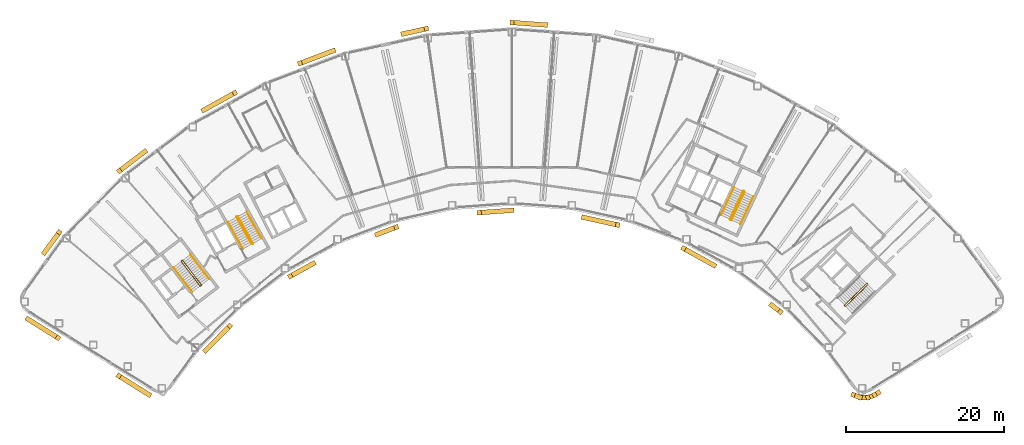
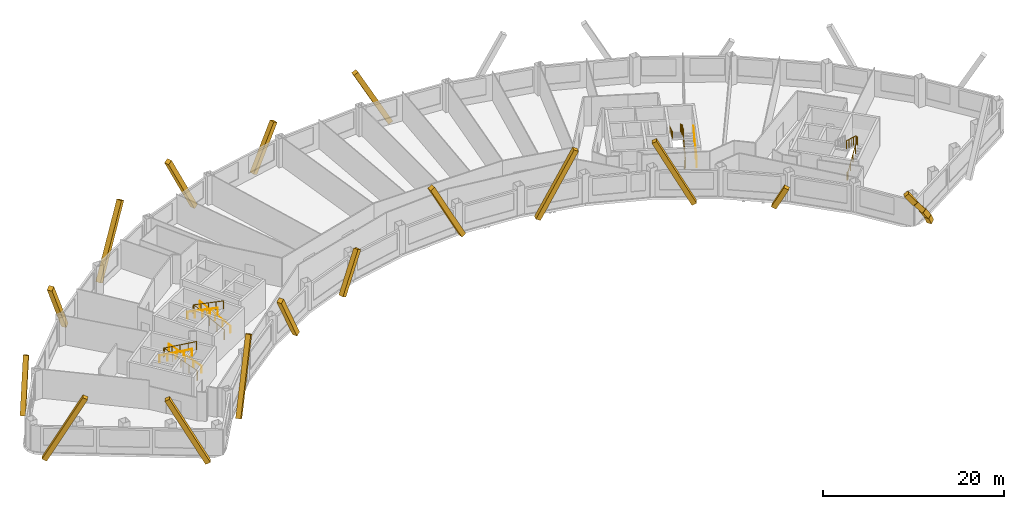
# One storey, part 13 of 14: 19 coverings, 10 railings.
"""IFC4 building model written with IfcOpenShell, lengths in metres."""

import ifcopenshell
import ifcopenshell.guid

model = None  # the IFC model being written
_history = None  # IfcOwnerHistory: only IFC2X3 demands one
_inside = {}  # id of a spatial element -> (the spatial element, [elements in it])
_under = {}  # id of a project, library or spatial element -> (it, [spatial elements below it])
_declared = {}  # id of a project -> (the project, [libraries it declares])
_typed = {}  # id of a type object -> (the type object, [elements of that type])
_made_of = {}  # id of a material, layer set ... -> (it, [elements and type objects made of it])


def new_model(schema):
    """Start an empty IFC model of exactly this schema.

    Asked for "IFC4X3", IfcOpenShell would pick the latest addendum, in which some entities
    have other attributes; the version numbers below select the first issue.
    IFC2X3 requires an IfcOwnerHistory on every rooted entity: one is made here for all.
    """
    global model, _history
    if schema == "IFC4X3":
        model = ifcopenshell.file(schema_version=(4, 3, 0, 0))
    else:
        model = ifcopenshell.file(schema=schema)
    _inside.clear()
    _under.clear()
    _declared.clear()
    _typed.clear()
    _made_of.clear()
    _history = None
    if model.schema == "IFC2X3":
        org = make("IfcOrganization", Name="unknown")
        user = make(
            "IfcPersonAndOrganization",
            ThePerson=make("IfcPerson", FamilyName="unknown"),
            TheOrganization=org,
        )
        app = make(
            "IfcApplication",
            ApplicationDeveloper=org,
            Version="unknown",
            ApplicationFullName="unknown",
            ApplicationIdentifier="unknown",
        )
        _history = make(
            "IfcOwnerHistory",
            OwningUser=user,
            OwningApplication=app,
            ChangeAction="ADDED",
            CreationDate=0,
        )
    return model


def make(cls, **values):
    """One entity of the class cls with the attributes given. An attribute that is None is left unset."""
    return model.create_entity(
        cls, **{name: value for name, value in values.items() if value is not None}
    )


def rooted(cls, **values):
    """An entity with a GlobalId (a new one), such as an element, a storey or a relation."""
    return make(cls, GlobalId=ifcopenshell.guid.new(), OwnerHistory=_history, **values)


def si_unit(unit_type, name, prefix=None):
    """IfcSIUnit, for example si_unit("LENGTHUNIT", "METRE", prefix="MILLI")."""
    return make("IfcSIUnit", UnitType=unit_type, Prefix=prefix, Name=name)


def assignment(units):
    """IfcUnitAssignment: the units of a project."""
    return None if units is None else make("IfcUnitAssignment", Units=units)


def point(xyz):
    """IfcCartesianPoint."""
    return None if xyz is None else make("IfcCartesianPoint", Coordinates=xyz)


def direction(xyz):
    """IfcDirection."""
    return None if xyz is None else make("IfcDirection", DirectionRatios=xyz)


def frame(location, z_axis=None, x_axis=None):
    """IfcAxis2Placement3D, a coordinate frame: its origin and axes. An axis left out is left unset."""
    return make(
        "IfcAxis2Placement3D",
        Location=point(location),
        Axis=direction(z_axis),
        RefDirection=direction(x_axis),
    )


def frame_2d(location, x_axis=None):
    """IfcAxis2Placement2D, a coordinate frame in the plane: its origin and x axis."""
    return make(
        "IfcAxis2Placement2D", Location=point(location), RefDirection=direction(x_axis)
    )


def origin():
    """The frame at (0, 0, 0) with its axes left unset."""
    return frame((0.0, 0.0, 0.0))


def origin_2d():
    """The frame at (0, 0) in the plane with its x axis left unset."""
    return frame_2d((0.0, 0.0))


def place(relative_to, where):
    """IfcLocalPlacement: puts the frame where relative to a parent placement (None: the world)."""
    return make(
        "IfcLocalPlacement", PlacementRelTo=relative_to, RelativePlacement=where
    )


def context(
    kind, dimensions, precision=None, world=None, true_north=None, identifier=None
):
    """IfcGeometricRepresentationContext, for example the 3D "Model" context."""
    return make(
        "IfcGeometricRepresentationContext",
        ContextIdentifier=identifier,
        ContextType=kind,
        CoordinateSpaceDimension=dimensions,
        Precision=precision,
        WorldCoordinateSystem=world,
        TrueNorth=true_north,
    )


def subcontext(parent, identifier, kind, view, scale=None):
    """IfcGeometricRepresentationSubContext, for example "Body" below "Model"."""
    return make(
        "IfcGeometricRepresentationSubContext",
        ContextIdentifier=identifier,
        ContextType=kind,
        ParentContext=parent,
        TargetScale=scale,
        TargetView=view,
    )


def project(units=None, contexts=None):
    """IfcProject with its units and contexts."""
    return rooted(
        "IfcProject",
        Name="project",
        RepresentationContexts=contexts,
        UnitsInContext=assignment(units),
    )


def spatial(cls, under=None, at=None, **own):
    """A site, building, storey or space (cls), placed at a placement, below another one or the project."""
    s = rooted(cls, ObjectPlacement=at, **own)
    if under is not None:
        _under.setdefault(under.id(), (under, []))[1].append(s)
    return s


def profile(cls, at=None, kind="AREA", **sizes):
    """A parametric profile (cls). Its sizes go by their IFC names, for example OverallWidth=200.0."""
    return make(cls, ProfileType=kind, Position=at, **sizes)


def rectangle(**sizes):
    """IfcRectangleProfileDef."""
    return profile("IfcRectangleProfileDef", **sizes)


def circle(**sizes):
    """IfcCircleProfileDef."""
    return profile("IfcCircleProfileDef", **sizes)


def extrude(swept, where, along, depth):
    """IfcExtrudedAreaSolid: the profile swept, set in the frame where, extruded along a direction by depth."""
    return make(
        "IfcExtrudedAreaSolid",
        SweptArea=swept,
        Position=where,
        ExtrudedDirection=direction(along),
        Depth=depth,
    )


def shape(context_of_items, identifier, shape_type, items):
    """IfcShapeRepresentation: the items that make up one representation, for example the "Body"."""
    return make(
        "IfcShapeRepresentation",
        ContextOfItems=context_of_items,
        RepresentationIdentifier=identifier,
        RepresentationType=shape_type,
        Items=items,
    )


def material(Name=None, Category=None):
    """IfcMaterial."""
    return make("IfcMaterial", Name=Name, Category=Category)


def material_profile(
    of_material, cross_section, Name=None, Category=None, Priority=None
):
    """IfcMaterialProfile: a cross section and its material."""
    return make(
        "IfcMaterialProfile",
        Name=Name,
        Material=of_material,
        Profile=cross_section,
        Priority=Priority,
        Category=Category,
    )


def profile_set(profiles, Name=None, composite=None):
    """IfcMaterialProfileSet."""
    return make(
        "IfcMaterialProfileSet",
        Name=Name,
        MaterialProfiles=profiles,
        CompositeProfile=composite,
    )


def made_of(thing, what):
    """Note that an element or type object is made of a material, layer set ...; save() writes the relation."""
    if what is not None:
        _made_of.setdefault(what.id(), (what, []))[1].append(thing)
    return thing


def type_object(cls, material=None, **own):
    """A type object (cls), such as IfcWallType, which elements share."""
    return made_of(rooted(cls, **own), material)


def element(
    cls,
    number,
    at=None,
    inside=None,
    cuts=None,
    type_object=None,
    material=None,
    context=None,
    identifier="Body",
    shape_type=None,
    held_by="IfcProductDefinitionShape",
    body=None,
    shapes=None,
    **own,
):
    """One element of the class cls, such as IfcWall. Its Tag is "e" and its number.

    at: its placement. inside: the storey or other place that contains it. cuts: it is an
    opening in that element (IfcRelVoidsElement). A single representation is given by context,
    identifier, shape_type and body (its items); several are given by shapes. held_by: the class
    of the entity that holds the representations. save() writes the other relations.
    """
    e = rooted(cls, Tag="e%d" % number, ObjectPlacement=at, **own)
    if body is not None:
        shapes = [shape(context, identifier, shape_type, body)]
    if shapes is not None:
        e.Representation = make(held_by, Representations=shapes)
    if inside is not None:
        _inside.setdefault(inside.id(), (inside, []))[1].append(e)
    if cuts is not None:
        rooted(
            "IfcRelVoidsElement", RelatingBuildingElement=cuts, RelatedOpeningElement=e
        )
    if type_object is not None:
        _typed.setdefault(type_object.id(), (type_object, []))[1].append(e)
    return made_of(e, material)


def aggregate(whole, parts):
    """IfcRelAggregates: a whole, such as a stair, and the parts it consists of."""
    return rooted("IfcRelAggregates", RelatingObject=whole, RelatedObjects=parts)


def save(model, path):
    """Write the relations noted so far, then the file.

    IfcRelAggregates (storeys below a building ...), IfcRelContainedInSpatialStructure (elements
    in a storey), IfcRelDefinesByType, IfcRelAssociatesMaterial and IfcRelDeclares: one each for
    every whole, place, type object, material and project.
    """
    for whole, parts in _under.values():
        aggregate(whole, parts)
    for where, things in _inside.values():
        rooted(
            "IfcRelContainedInSpatialStructure",
            RelatedElements=things,
            RelatingStructure=where,
        )
    for kind, things in _typed.values():
        rooted("IfcRelDefinesByType", RelatedObjects=things, RelatingType=kind)
    for what, things in _made_of.values():
        rooted("IfcRelAssociatesMaterial", RelatedObjects=things, RelatingMaterial=what)
    for by, libraries in _declared.values():
        rooted("IfcRelDeclares", RelatingContext=by, RelatedDefinitions=libraries)
    model.write(path)


model = new_model("IFC4")

# Units and contexts
model_context = context("Model", 3, precision=1e-05, world=origin(), true_north=direction((0.0, 1.0)))
body_context = subcontext(model_context, "Body", "Model", "MODEL_VIEW")
ifc_project = project(units=[si_unit("LENGTHUNIT", "METRE"), si_unit("AREAUNIT", "SQUARE_METRE"), si_unit("VOLUMEUNIT", "CUBIC_METRE"), si_unit("PLANEANGLEUNIT", "RADIAN"), si_unit("MASSUNIT", "GRAM", prefix="KILO")], contexts=[model_context])

# Site, building, storey
site_placement = place(None, origin())
site = spatial("IfcSite", under=ifc_project, at=site_placement, CompositionType="ELEMENT")
building_placement = place(site_placement, origin())
building = spatial("IfcBuilding", under=site, at=building_placement, Name="Tuul Gate Civic Tower", CompositionType="ELEMENT")
storey_placement = place(building_placement, frame((0.0, 0.0, 209.5)))
storey = spatial("IfcBuildingStorey", under=building, at=storey_placement, Name="Level 47", CompositionType="ELEMENT", Elevation=209.5)

# Railings
ifc_material_1 = material(Name="Painted steel", Category="steel")
railing_type_1 = type_object("IfcRailingType", Name="Stair guard", PredefinedType="GUARDRAIL", material=ifc_material_1)
railing_1_placement = place(storey_placement, frame((-33.382080078125, -13.515380859375, 0.0)))
element("IfcRailing", 1, at=railing_1_placement, inside=storey, type_object=railing_type_1, Name="Level 47 ST-1 stair guard 1", PredefinedType="GUARDRAIL", context=body_context, shape_type="SweptSolid", body=[
    extrude(circle(Radius=0.02392578125, at=origin_2d()), frame((0.0, 0.0, 1.076171875), z_axis=(-0.795879841968, -0.605454603706, 0.0), x_axis=(0.605454603706, -0.795879841968, 0.0)), (0.0, 0.0, 1.0), 0.10009765625),
    extrude(circle(Radius=0.02392578125, at=origin_2d()), frame((-0.07958984375, -0.060546875, 1.076171875), z_axis=(0.408991890351, 0.599481263939, 0.688002796371), x_axis=(-0.826063974707, 0.563576356576, 0.0)), (0.0, 0.0, 1.0), 0.2177734375),
    extrude(circle(Radius=0.02392578125, at=origin_2d()), frame((0.009521484375, 0.070068359375, 1.22607421875), z_axis=(-0.541810893183, 0.711627203922, 0.44724454012), x_axis=(-0.795637165283, -0.60577347352, 0.0)), (0.0, 0.0, 1.0), 4.3603515625),
    extrude(circle(Radius=0.02392578125, at=origin_2d()), frame((-2.35302734375, 3.173095703125, 3.17626953125), z_axis=(-0.990893089246, 0.134650977284, 0.0), x_axis=(-0.134650977284, -0.990893089246, 0.0)), (0.0, 0.0, 1.0), 0.07080078125),
    extrude(circle(Radius=0.02392578125, at=origin_2d()), frame((-2.423095703125, 3.1826171875, 3.17626953125), z_axis=(-0.793802879778, -0.60817512943, 0.0), x_axis=(0.60817512943, -0.793802879778, 0.0)), (0.0, 0.0, 1.0), 0.099853515625),
    extrude(circle(Radius=0.02392578125, at=origin_2d()), frame((-2.50244140625, 3.121826171875, 3.17626953125), z_axis=(-0.057447065493, -0.422751481959, 0.904423031091), x_axis=(0.990893089246, -0.134650977284, 0.0)), (0.0, 0.0, 1.0), 0.165771484375),
    extrude(circle(Radius=0.02392578125, at=origin_2d()), frame((-2.511962890625, 3.0517578125, 3.326171875), z_axis=(0.541806494602, -0.71163897684, 0.447231136047), x_axis=(0.795644365679, 0.605764016233, 0.0)), (0.0, 0.0, 1.0), 4.360107421875),
    extrude(circle(Radius=0.02099609375, at=origin_2d()), origin(), (0.0, 0.0, 1.0), 1.052001953125),
    extrude(circle(Radius=0.02099609375, at=origin_2d()), frame((-0.07958984375, -0.060546875, 0.0)), (0.0, 0.0, 1.0), 1.052001953125),
    extrude(circle(Radius=0.02099609375, at=origin_2d()), frame((0.009521484375, 0.070068359375, 0.14990234375)), (0.0, 0.0, 1.0), 1.052001953125),
    extrude(circle(Radius=0.02099609375, at=origin_2d()), frame((-0.5810546875, 0.845703125, 0.637451171875)), (0.0, 0.0, 1.0), 1.052001953125),
    extrude(circle(Radius=0.02099609375, at=origin_2d()), frame((-1.171875, 1.62158203125, 1.125)), (0.0, 0.0, 1.0), 1.052001953125),
    extrude(circle(Radius=0.02099609375, at=origin_2d()), frame((-1.762451171875, 2.3974609375, 1.612548828125)), (0.0, 0.0, 1.0), 1.052001953125),
    extrude(circle(Radius=0.02099609375, at=origin_2d()), frame((-2.35302734375, 3.173095703125, 2.10009765625)), (0.0, 0.0, 1.0), 1.052001953125),
    extrude(circle(Radius=0.02099609375, at=origin_2d()), frame((-2.423095703125, 3.1826171875, 2.10009765625)), (0.0, 0.0, 1.0), 1.052001953125),
    extrude(circle(Radius=0.02099609375, at=origin_2d()), frame((-2.50244140625, 3.121826171875, 2.10009765625)), (0.0, 0.0, 1.0), 1.052001953125),
    extrude(circle(Radius=0.02099609375, at=origin_2d()), frame((-2.511962890625, 3.0517578125, 2.25)), (0.0, 0.0, 1.0), 1.052001953125),
    extrude(circle(Radius=0.02099609375, at=origin_2d()), frame((-1.92138671875, 2.276123046875, 2.737548828125)), (0.0, 0.0, 1.0), 1.052001953125),
    extrude(circle(Radius=0.02099609375, at=origin_2d()), frame((-1.330810546875, 1.50048828125, 3.22509765625)), (0.0, 0.0, 1.0), 1.052001953125),
    extrude(circle(Radius=0.02099609375, at=origin_2d()), frame((-0.740234375, 0.724609375, 3.71240234375)), (0.0, 0.0, 1.0), 1.052001953125),
    extrude(circle(Radius=0.02099609375, at=origin_2d()), frame((-0.149658203125, -0.051025390625, 4.199951171875)), (0.0, 0.0, 1.0), 1.052001953125),
])
railing_2_placement = place(storey_placement, frame((-26.857666015625, -8.247314453125, 0.0)))
element("IfcRailing", 2, at=railing_2_placement, inside=storey, type_object=railing_type_1, Name="Level 47 ST-2 stair guard 1", PredefinedType="GUARDRAIL", context=body_context, shape_type="SweptSolid", body=[
    extrude(circle(Radius=0.02392578125, at=origin_2d()), frame((0.0, 0.0, 1.076171875), z_axis=(-0.874616555828, -0.48481530532, 0.0), x_axis=(0.48481530532, -0.874616555828, 0.0)), (0.0, 0.0, 1.0), 0.10009765625),
    extrude(circle(Radius=0.02392578125, at=origin_2d()), frame((-0.087646484375, -0.048583984375, 1.076171875), z_axis=(0.49081399482, 0.534516610797, 0.688036056665), x_axis=(-0.736576986774, 0.676353711126, 0.0)), (0.0, 0.0, 1.0), 0.2177734375),
    extrude(circle(Radius=0.02392578125, at=origin_2d()), frame((0.019287109375, 0.06787109375, 1.22607421875), z_axis=(-0.433539057192, 0.782307594871, 0.447256875739), x_axis=(-0.874667644053, -0.484723129681, 0.0)), (0.0, 0.0, 1.0), 4.3603515625),
    extrude(circle(Radius=0.02392578125, at=origin_2d()), frame((-1.87109375, 3.47900390625, 3.17626953125), z_axis=(-0.961263487578, 0.275631107549, 0.0), x_axis=(-0.275631107549, -0.961263487578, 0.0)), (0.0, 0.0, 1.0), 0.07080078125),
    extrude(circle(Radius=0.02392578125, at=origin_2d()), frame((-1.939208984375, 3.49853515625, 3.17626953125), z_axis=(-0.874042088414, -0.485850211157, 0.0), x_axis=(0.485850211157, -0.874042088414, 0.0)), (0.0, 0.0, 1.0), 0.10009765625),
    extrude(circle(Radius=0.02392578125, at=origin_2d()), frame((-2.026611328125, 3.449951171875, 3.17626953125), z_axis=(-0.117866478395, -0.409586012422, 0.90462522168), x_axis=(0.961000426733, -0.276546885391, 0.0)), (0.0, 0.0, 1.0), 0.165771484375),
    extrude(circle(Radius=0.02392578125, at=origin_2d()), frame((-2.046142578125, 3.382080078125, 3.326171875), z_axis=(0.433595379963, -0.782308193291, 0.447201226726), x_axis=(0.874641102302, 0.484771020343, 0.0)), (0.0, 0.0, 1.0), 4.3603515625),
    extrude(circle(Radius=0.02099609375, at=origin_2d()), origin(), (0.0, 0.0, 1.0), 1.052001953125),
    extrude(circle(Radius=0.02099609375, at=origin_2d()), frame((-0.087646484375, -0.048583984375, 0.0)), (0.0, 0.0, 1.0), 1.052001953125),
    extrude(circle(Radius=0.02099609375, at=origin_2d()), frame((0.019287109375, 0.06787109375, 0.14990234375)), (0.0, 0.0, 1.0), 1.052001953125),
    extrude(circle(Radius=0.02099609375, at=origin_2d()), frame((-0.453369140625, 0.920654296875, 0.637451171875)), (0.0, 0.0, 1.0), 1.052001953125),
    extrude(circle(Radius=0.02099609375, at=origin_2d()), frame((-0.92578125, 1.7734375, 1.125)), (0.0, 0.0, 1.0), 1.052001953125),
    extrude(circle(Radius=0.02099609375, at=origin_2d()), frame((-1.3984375, 2.626220703125, 1.612548828125)), (0.0, 0.0, 1.0), 1.052001953125),
    extrude(circle(Radius=0.02099609375, at=origin_2d()), frame((-1.87109375, 3.47900390625, 2.10009765625)), (0.0, 0.0, 1.0), 1.052001953125),
    extrude(circle(Radius=0.02099609375, at=origin_2d()), frame((-1.939208984375, 3.49853515625, 2.10009765625)), (0.0, 0.0, 1.0), 1.052001953125),
    extrude(circle(Radius=0.02099609375, at=origin_2d()), frame((-2.026611328125, 3.449951171875, 2.10009765625)), (0.0, 0.0, 1.0), 1.052001953125),
    extrude(circle(Radius=0.02099609375, at=origin_2d()), frame((-2.046142578125, 3.382080078125, 2.25)), (0.0, 0.0, 1.0), 1.052001953125),
    extrude(circle(Radius=0.02099609375, at=origin_2d()), frame((-1.573486328125, 2.529296875, 2.737548828125)), (0.0, 0.0, 1.0), 1.052001953125),
    extrude(circle(Radius=0.02099609375, at=origin_2d()), frame((-1.100830078125, 1.676513671875, 3.22509765625)), (0.0, 0.0, 1.0), 1.052001953125),
    extrude(circle(Radius=0.02099609375, at=origin_2d()), frame((-0.628173828125, 0.82373046875, 3.71240234375)), (0.0, 0.0, 1.0), 1.052001953125),
    extrude(circle(Radius=0.02099609375, at=origin_2d()), frame((-0.155517578125, -0.029052734375, 4.199951171875)), (0.0, 0.0, 1.0), 1.052001953125),
])
railing_3_placement = place(storey_placement, frame((48.10546875, -16.134765625, 0.0)))
element("IfcRailing", 3, at=railing_3_placement, inside=storey, type_object=railing_type_1, Name="Level 47 ST-3 stair guard 1", PredefinedType="GUARDRAIL", context=body_context, shape_type="SweptSolid", body=[
    extrude(circle(Radius=0.02392578125, at=origin_2d()), frame((0.0, 0.0, 1.076171875), z_axis=(-0.698506948293, 0.715603272202, 0.0), x_axis=(-0.715603272202, -0.698506948293, 0.0)), (0.0, 0.0, 1.0), 0.099853515625),
    extrude(circle(Radius=0.02392578125, at=origin_2d()), frame((-0.06982421875, 0.071533203125, 1.076171875), z_axis=(0.645446321009, -0.331687692741, 0.688027849131), x_axis=(0.457068866502, 0.889431307788, 0.0)), (0.0, 0.0, 1.0), 0.2177734375),
    extrude(circle(Radius=0.02392578125, at=origin_2d()), frame((0.07080078125, -0.000732421875, 1.22607421875), z_axis=(0.638715268259, 0.626117886127, 0.447235059857), x_axis=(-0.700029477518, 0.714113947914, 0.0)), (0.0, 0.0, 1.0), 4.360595703125),
    extrude(circle(Radius=0.02392578125, at=origin_2d()), frame((2.85595703125, 2.7294921875, 3.17626953125), z_axis=(0.010380063588, 0.999946125689, 0.0), x_axis=(-0.999946125689, 0.010380063588, 0.0)), (0.0, 0.0, 1.0), 0.070556640625),
    extrude(circle(Radius=0.02392578125, at=origin_2d()), frame((2.856689453125, 2.800048828125, 3.17626953125), z_axis=(-0.699754442181, 0.714383454909, 0.0), x_axis=(-0.714383454909, -0.699754442181, 0.0)), (0.0, 0.0, 1.0), 0.10009765625),
    extrude(circle(Radius=0.02392578125, at=origin_2d()), frame((2.78662109375, 2.87158203125, 3.17626953125), z_axis=(-0.427069033481, 0.004417955519, 0.904208229508), x_axis=(-0.010344274102, -0.999946496565, 0.0)), (0.0, 0.0, 1.0), 0.165771484375),
    extrude(circle(Radius=0.02392578125, at=origin_2d()), frame((2.7158203125, 2.872314453125, 3.326171875), z_axis=(-0.638731261263, -0.626133563701, 0.447190268558), x_axis=(0.700029477518, -0.714113947914, 0.0)), (0.0, 0.0, 1.0), 4.3603515625),
    extrude(circle(Radius=0.02099609375, at=origin_2d()), origin(), (0.0, 0.0, 1.0), 1.052001953125),
    extrude(circle(Radius=0.02099609375, at=origin_2d()), frame((-0.06982421875, 0.071533203125, 0.0)), (0.0, 0.0, 1.0), 1.052001953125),
    extrude(circle(Radius=0.02099609375, at=origin_2d()), frame((0.07080078125, -0.000732421875, 0.14990234375)), (0.0, 0.0, 1.0), 1.052001953125),
    extrude(circle(Radius=0.02099609375, at=origin_2d()), frame((0.76708984375, 0.681884765625, 0.637451171875)), (0.0, 0.0, 1.0), 1.052001953125),
    extrude(circle(Radius=0.02099609375, at=origin_2d()), frame((1.46337890625, 1.3642578125, 1.125)), (0.0, 0.0, 1.0), 1.052001953125),
    extrude(circle(Radius=0.02099609375, at=origin_2d()), frame((2.15966796875, 2.046875, 1.612548828125)), (0.0, 0.0, 1.0), 1.052001953125),
    extrude(circle(Radius=0.02099609375, at=origin_2d()), frame((2.85595703125, 2.7294921875, 2.10009765625)), (0.0, 0.0, 1.0), 1.052001953125),
    extrude(circle(Radius=0.02099609375, at=origin_2d()), frame((2.856689453125, 2.800048828125, 2.10009765625)), (0.0, 0.0, 1.0), 1.052001953125),
    extrude(circle(Radius=0.02099609375, at=origin_2d()), frame((2.78662109375, 2.87158203125, 2.10009765625)), (0.0, 0.0, 1.0), 1.052001953125),
    extrude(circle(Radius=0.02099609375, at=origin_2d()), frame((2.7158203125, 2.872314453125, 2.25)), (0.0, 0.0, 1.0), 1.052001953125),
    extrude(circle(Radius=0.02099609375, at=origin_2d()), frame((2.01953125, 2.189697265625, 2.737548828125)), (0.0, 0.0, 1.0), 1.052001953125),
    extrude(circle(Radius=0.02099609375, at=origin_2d()), frame((1.3232421875, 1.50732421875, 3.22509765625)), (0.0, 0.0, 1.0), 1.052001953125),
    extrude(circle(Radius=0.02099609375, at=origin_2d()), frame((0.626953125, 0.82470703125, 3.71240234375)), (0.0, 0.0, 1.0), 1.052001953125),
    extrude(circle(Radius=0.02099609375, at=origin_2d()), frame((-0.0693359375, 0.14208984375, 4.199951171875)), (0.0, 0.0, 1.0), 1.052001953125),
])
railing_4_placement = place(storey_placement, frame((33.645751953125, -5.238525390625, 0.0)))
element("IfcRailing", 4, at=railing_4_placement, inside=storey, type_object=railing_type_1, Name="Level 47 ST-4 stair guard 1", PredefinedType="GUARDRAIL", context=body_context, shape_type="SweptSolid", body=[
    extrude(circle(Radius=0.02392578125, at=origin_2d()), frame((0.0, 0.0, 1.076171875), z_axis=(-0.906307919131, 0.422617978463, 0.0), x_axis=(-0.422617978463, -0.906307919131, 0.0)), (0.0, 0.0, 1.0), 0.099853515625),
    extrude(circle(Radius=0.02392578125, at=origin_2d()), frame((-0.090576171875, 0.042236328125, 1.076171875), z_axis=(0.720735628292, -0.082946246491, 0.688229666829), x_axis=(0.114330889033, 0.993442724979, 0.0)), (0.0, 0.0, 1.0), 0.2177734375),
    extrude(circle(Radius=0.02392578125, at=origin_2d()), frame((0.06640625, 0.024169921875, 1.22607421875), z_axis=(0.377937439636, 0.810633814971, 0.447253965602), x_axis=(-0.906336612539, 0.422556439746, 0.0)), (0.0, 0.0, 1.0), 4.3603515625),
    extrude(circle(Radius=0.02392578125, at=origin_2d()), frame((1.71435546875, 3.558837890625, 3.17626953125), z_axis=(-0.342020437038, 0.939692513883, 0.0), x_axis=(-0.939692513883, -0.342020437038, 0.0)), (0.0, 0.0, 1.0), 0.070556640625),
    extrude(circle(Radius=0.02392578125, at=origin_2d()), frame((1.690185546875, 3.625244140625, 3.17626953125), z_axis=(-0.906307919131, 0.422617978463, 0.0), x_axis=(-0.422617978463, -0.906307919131, 0.0)), (0.0, 0.0, 1.0), 0.099853515625),
    extrude(circle(Radius=0.02392578125, at=origin_2d()), frame((1.599609375, 3.66748046875, 3.17626953125), z_axis=(-0.40070210376, -0.145843780413, 0.904526072458), x_axis=(0.342020437038, -0.939692513883, 0.0)), (0.0, 0.0, 1.0), 0.165771484375),
    extrude(circle(Radius=0.02392578125, at=origin_2d()), frame((1.533203125, 3.643310546875, 3.326171875), z_axis=(-0.377946903738, -0.810654114417, 0.447209173356), x_axis=(0.906336612539, -0.422556439746, 0.0)), (0.0, 0.0, 1.0), 4.3603515625),
    extrude(circle(Radius=0.02099609375, at=origin_2d()), origin(), (0.0, 0.0, 1.0), 1.052001953125),
    extrude(circle(Radius=0.02099609375, at=origin_2d()), frame((-0.090576171875, 0.042236328125, 0.0)), (0.0, 0.0, 1.0), 1.052001953125),
    extrude(circle(Radius=0.02099609375, at=origin_2d()), frame((0.06640625, 0.024169921875, 0.14990234375)), (0.0, 0.0, 1.0), 1.052001953125),
    extrude(circle(Radius=0.02099609375, at=origin_2d()), frame((0.478515625, 0.90771484375, 0.637451171875)), (0.0, 0.0, 1.0), 1.052001953125),
    extrude(circle(Radius=0.02099609375, at=origin_2d()), frame((0.890380859375, 1.79150390625, 1.125)), (0.0, 0.0, 1.0), 1.052001953125),
    extrude(circle(Radius=0.02099609375, at=origin_2d()), frame((1.30224609375, 2.67529296875, 1.612548828125)), (0.0, 0.0, 1.0), 1.052001953125),
    extrude(circle(Radius=0.02099609375, at=origin_2d()), frame((1.71435546875, 3.558837890625, 2.10009765625)), (0.0, 0.0, 1.0), 1.052001953125),
    extrude(circle(Radius=0.02099609375, at=origin_2d()), frame((1.690185546875, 3.625244140625, 2.10009765625)), (0.0, 0.0, 1.0), 1.052001953125),
    extrude(circle(Radius=0.02099609375, at=origin_2d()), frame((1.599609375, 3.66748046875, 2.10009765625)), (0.0, 0.0, 1.0), 1.052001953125),
    extrude(circle(Radius=0.02099609375, at=origin_2d()), frame((1.533203125, 3.643310546875, 2.25)), (0.0, 0.0, 1.0), 1.052001953125),
    extrude(circle(Radius=0.02099609375, at=origin_2d()), frame((1.12109375, 2.759765625, 2.737548828125)), (0.0, 0.0, 1.0), 1.052001953125),
    extrude(circle(Radius=0.02099609375, at=origin_2d()), frame((0.709228515625, 1.8759765625, 3.22509765625)), (0.0, 0.0, 1.0), 1.052001953125),
    extrude(circle(Radius=0.02099609375, at=origin_2d()), frame((0.29736328125, 0.9921875, 3.71240234375)), (0.0, 0.0, 1.0), 1.052001953125),
    extrude(circle(Radius=0.02099609375, at=origin_2d()), frame((-0.11474609375, 0.108642578125, 4.199951171875)), (0.0, 0.0, 1.0), 1.052001953125),
])
ifc_material_2 = material(Name="Painted steel", Category="steel")
railing_type_2 = type_object("IfcRailingType", Name="Stair handrail", PredefinedType="HANDRAIL", material=ifc_material_2)
railing_5_placement = place(storey_placement, frame((-32.3779296875, -12.688232421875, 0.14990234375)))
element("IfcRailing", 5, at=railing_5_placement, inside=storey, type_object=railing_type_2, Name="Level 47 ST-1 stair handrail 1", PredefinedType="HANDRAIL", context=body_context, shape_type="SweptSolid", body=[
    extrude(circle(Radius=0.02392578125, at=origin_2d()), frame((0.0, 0.0, 0.8759765625), z_axis=(-0.541810893183, 0.711627203922, 0.44724454012), x_axis=(-0.795637165283, -0.60577347352, 0.0)), (0.0, 0.0, 1.0), 4.3603515625),
    extrude(circle(Radius=0.02099609375, at=origin_2d()), origin(), (0.0, 0.0, 1.0), 0.851806640625),
    extrude(circle(Radius=0.02099609375, at=origin_2d()), frame((-0.590576171875, 0.77587890625, 0.487548828125)), (0.0, 0.0, 1.0), 0.851806640625),
    extrude(circle(Radius=0.02099609375, at=origin_2d()), frame((-1.18115234375, 1.551513671875, 0.97509765625)), (0.0, 0.0, 1.0), 0.851806640625),
    extrude(circle(Radius=0.02099609375, at=origin_2d()), frame((-1.77197265625, 2.3271484375, 1.462646484375)), (0.0, 0.0, 1.0), 0.851806640625),
    extrude(circle(Radius=0.02099609375, at=origin_2d()), frame((-2.362548828125, 3.10302734375, 1.9501953125)), (0.0, 0.0, 1.0), 0.851806640625),
])
railing_6_placement = place(storey_placement, frame((-36.888671875, -11.220703125, 2.25)))
element("IfcRailing", 6, at=railing_6_placement, inside=storey, type_object=railing_type_2, Name="Level 47 ST-1 stair handrail 2", PredefinedType="HANDRAIL", context=body_context, shape_type="SweptSolid", body=[
    extrude(circle(Radius=0.02392578125, at=origin_2d()), frame((0.0, 0.0, 0.8759765625), z_axis=(0.541824460341, -0.711645023348, 0.447199748346), x_axis=(0.795637165283, 0.60577347352, 0.0)), (0.0, 0.0, 1.0), 4.3603515625),
    extrude(circle(Radius=0.02099609375, at=origin_2d()), origin(), (0.0, 0.0, 1.0), 0.851806640625),
    extrude(circle(Radius=0.02099609375, at=origin_2d()), frame((0.590576171875, -0.77587890625, 0.487548828125)), (0.0, 0.0, 1.0), 0.851806640625),
    extrude(circle(Radius=0.02099609375, at=origin_2d()), frame((1.18115234375, -1.551513671875, 0.97509765625)), (0.0, 0.0, 1.0), 0.851806640625),
    extrude(circle(Radius=0.02099609375, at=origin_2d()), frame((1.77197265625, -2.3271484375, 1.46240234375)), (0.0, 0.0, 1.0), 0.851806640625),
    extrude(circle(Radius=0.02099609375, at=origin_2d()), frame((2.362548828125, -3.10302734375, 1.949951171875)), (0.0, 0.0, 1.0), 0.851806640625),
])
railing_7_placement = place(storey_placement, frame((-25.744873046875, -7.573486328125, 0.14990234375)))
element("IfcRailing", 7, at=railing_7_placement, inside=storey, type_object=railing_type_2, Name="Level 47 ST-2 stair handrail 1", PredefinedType="HANDRAIL", context=body_context, shape_type="SweptSolid", body=[
    extrude(circle(Radius=0.02392578125, at=origin_2d()), frame((0.0, 0.0, 0.8759765625), z_axis=(-0.433584522764, 0.782288604346, 0.447246018574), x_axis=(-0.874641102302, -0.484771020343, 0.0)), (0.0, 0.0, 1.0), 4.3603515625),
    extrude(circle(Radius=0.02099609375, at=origin_2d()), origin(), (0.0, 0.0, 1.0), 0.851806640625),
    extrude(circle(Radius=0.02099609375, at=origin_2d()), frame((-0.47265625, 0.852783203125, 0.487548828125)), (0.0, 0.0, 1.0), 0.851806640625),
    extrude(circle(Radius=0.02099609375, at=origin_2d()), frame((-0.9453125, 1.70556640625, 0.97509765625)), (0.0, 0.0, 1.0), 0.851806640625),
    extrude(circle(Radius=0.02099609375, at=origin_2d()), frame((-1.41796875, 2.558349609375, 1.462646484375)), (0.0, 0.0, 1.0), 0.851806640625),
    extrude(circle(Radius=0.02099609375, at=origin_2d()), frame((-1.890625, 3.4111328125, 1.9501953125)), (0.0, 0.0, 1.0), 0.851806640625),
])
railing_8_placement = place(storey_placement, frame((-29.9970703125, -5.47119140625, 2.25)))
element("IfcRailing", 8, at=railing_8_placement, inside=storey, type_object=railing_type_2, Name="Level 47 ST-2 stair handrail 2", PredefinedType="HANDRAIL", context=body_context, shape_type="SweptSolid", body=[
    extrude(circle(Radius=0.02392578125, at=origin_2d()), frame((0.0, 0.0, 0.8759765625), z_axis=(0.433595379963, -0.782308193291, 0.447201226726), x_axis=(0.874641102302, 0.484771020343, 0.0)), (0.0, 0.0, 1.0), 4.3603515625),
    extrude(circle(Radius=0.02099609375, at=origin_2d()), origin(), (0.0, 0.0, 1.0), 0.851806640625),
    extrude(circle(Radius=0.02099609375, at=origin_2d()), frame((0.47265625, -0.852783203125, 0.487548828125)), (0.0, 0.0, 1.0), 0.851806640625),
    extrude(circle(Radius=0.02099609375, at=origin_2d()), frame((0.9453125, -1.70556640625, 0.97509765625)), (0.0, 0.0, 1.0), 0.851806640625),
    extrude(circle(Radius=0.02099609375, at=origin_2d()), frame((1.41796875, -2.558349609375, 1.46240234375)), (0.0, 0.0, 1.0), 0.851806640625),
    extrude(circle(Radius=0.02099609375, at=origin_2d()), frame((1.890625, -3.4111328125, 1.949951171875)), (0.0, 0.0, 1.0), 0.851806640625),
])
railing_9_placement = place(storey_placement, frame((34.844970703125, -5.74267578125, 0.14990234375)))
element("IfcRailing", 9, at=railing_9_placement, inside=storey, type_object=railing_type_2, Name="Level 47 ST-4 stair handrail 1", PredefinedType="HANDRAIL", context=body_context, shape_type="SweptSolid", body=[
    extrude(circle(Radius=0.02392578125, at=origin_2d()), frame((0.0, 0.0, 0.8759765625), z_axis=(0.377985431313, 0.810616660428, 0.447244500863), x_axis=(-0.906312636903, 0.422607861012, 0.0)), (0.0, 0.0, 1.0), 4.3603515625),
    extrude(circle(Radius=0.02099609375, at=origin_2d()), origin(), (0.0, 0.0, 1.0), 0.851806640625),
    extrude(circle(Radius=0.02099609375, at=origin_2d()), frame((0.412109375, 0.8837890625, 0.487548828125)), (0.0, 0.0, 1.0), 0.851806640625),
    extrude(circle(Radius=0.02099609375, at=origin_2d()), frame((0.82421875, 1.767333984375, 0.97509765625)), (0.0, 0.0, 1.0), 0.851806640625),
    extrude(circle(Radius=0.02099609375, at=origin_2d()), frame((1.236083984375, 2.65087890625, 1.462646484375)), (0.0, 0.0, 1.0), 0.851806640625),
    extrude(circle(Radius=0.02099609375, at=origin_2d()), frame((1.648193359375, 3.53466796875, 1.9501953125)), (0.0, 0.0, 1.0), 0.851806640625),
])
railing_10_placement = place(storey_placement, frame((34.046142578125, -1.06689453125, 2.25)))
element("IfcRailing", 10, at=railing_10_placement, inside=storey, type_object=railing_type_2, Name="Level 47 ST-4 stair handrail 2", PredefinedType="HANDRAIL", context=body_context, shape_type="SweptSolid", body=[
    extrude(circle(Radius=0.02392578125, at=origin_2d()), frame((0.0, 0.0, 0.8759765625), z_axis=(-0.377994896215, -0.810636958585, 0.447199709091), x_axis=(0.906312636903, -0.422607861012, 0.0)), (0.0, 0.0, 1.0), 4.3603515625),
    extrude(circle(Radius=0.02099609375, at=origin_2d()), origin(), (0.0, 0.0, 1.0), 0.851806640625),
    extrude(circle(Radius=0.02099609375, at=origin_2d()), frame((-0.412109375, -0.8837890625, 0.487548828125)), (0.0, 0.0, 1.0), 0.851806640625),
    extrude(circle(Radius=0.02099609375, at=origin_2d()), frame((-0.82421875, -1.767333984375, 0.97509765625)), (0.0, 0.0, 1.0), 0.851806640625),
    extrude(circle(Radius=0.02099609375, at=origin_2d()), frame((-1.236083984375, -2.65087890625, 1.46240234375)), (0.0, 0.0, 1.0), 0.851806640625),
    extrude(circle(Radius=0.02099609375, at=origin_2d()), frame((-1.648193359375, -3.53466796875, 1.949951171875)), (0.0, 0.0, 1.0), 0.851806640625),
])

# Coverings
ifc_material_3 = material(Name="Terracotta baguette", Category="masonry")
ifc_material_profile = material_profile(ifc_material_3, rectangle(XDim=0.60009765625, YDim=0.60009765625, at=origin_2d()), Name="Terracotta baguette screen frame")
ifc_profile_set = profile_set([ifc_material_profile], Name="Terracotta baguette")
covering_type = type_object("IfcCoveringType", Name="Terracotta baguette screen frame", PredefinedType="CLADDING", material=ifc_profile_set)
covering_1_placement = place(storey_placement, frame((5.93994140625, 19.76904296875, 7.55126953125), z_axis=(0.473929597692, -0.034391976886, -0.879890861617), x_axis=(0.072377369692, 0.99737731895, 0.0)))
element("IfcCovering", 11, at=covering_1_placement, inside=storey, type_object=covering_type, Name="Baguette 74", PredefinedType="CLADDING", context=body_context, shape_type="SweptSolid", body=[
    extrude(rectangle(XDim=0.60009765625, YDim=0.60009765625, at=origin_2d()), origin(), (0.0, 0.0, 1.0), 8.97998046875),
])
covering_2_placement = place(storey_placement, frame((-4.88330078125, 18.984130859375, 5.253662109375), z_axis=(-0.464038584102, -0.102276327335, -0.879890757612), x_axis=(0.215238820918, -0.976561441984, 0.0)))
element("IfcCovering", 12, at=covering_2_placement, inside=storey, type_object=covering_type, Name="Baguette 80", PredefinedType="CLADDING", context=body_context, shape_type="SweptSolid", body=[
    extrude(rectangle(XDim=0.60009765625, YDim=0.60009765625, at=origin_2d()), origin(), (0.0, 0.0, 1.0), 6.36865234375),
])
for number, where, z_axis, x_axis, name in (
    (13, (-20.889892578125, 14.603515625, 8.050048828125), (0.444440916685, 0.168043113156, -0.879905553851), (-0.353664314999, 0.935372413692, 0.0), "Baguette 95"),
    (14, (-29.1328125, 10.86962890625, 8.050048828125), (-0.415568648165, -0.230365685087, -0.879905875533), (0.48482929666, -0.874608800036, 0.0), "Baguette 101"),
):
    element("IfcCovering", number, at=place(storey_placement, frame(where, z_axis=z_axis, x_axis=x_axis)), inside=storey, type_object=covering_type, Name=name, PredefinedType="CLADDING", context=body_context, shape_type="SweptSolid", body=[
        extrude(rectangle(XDim=0.60009765625, YDim=0.60009765625, at=origin_2d()), origin(), (0.0, 0.0, 1.0), 9.546630859375),
    ])
covering_3_placement = place(storey_placement, frame((-43.753662109375, 0.976806640625, 7.220703125), z_axis=(0.378060731421, 0.287858459942, -0.879890669571), x_axis=(-0.605793108402, 0.79562221551, 0.0)))
element("IfcCovering", 15, at=covering_3_placement, inside=storey, type_object=covering_type, Name="Baguette 116", PredefinedType="CLADDING", context=body_context, shape_type="SweptSolid", body=[
    extrude(rectangle(XDim=0.60009765625, YDim=0.60009765625, at=origin_2d()), origin(), (0.0, 0.0, 1.0), 8.604248046875),
])
covering_4_placement = place(storey_placement, frame((-51.349609375, -6.772705078125, 5.584716796875), z_axis=(-0.281422439276, -0.385220463835, -0.878866659349), x_axis=(0.807475813419, -0.58990067871, 0.0)))
element("IfcCovering", 16, at=covering_4_placement, inside=storey, type_object=covering_type, Name="Baguette 122", PredefinedType="CLADDING", context=body_context, shape_type="SweptSolid", body=[
    extrude(rectangle(XDim=0.60009765625, YDim=0.60009765625, at=origin_2d()), origin(), (0.0, 0.0, 1.0), 6.752685546875),
])
covering_5_placement = place(storey_placement, frame((-51.505615234375, -20.144287109375, 8.050048828125), z_axis=(-0.402305409232, 0.251376917178, -0.880318126141), x_axis=(-0.529901976461, -0.848058898511, 0.0)))
element("IfcCovering", 17, at=covering_5_placement, inside=storey, type_object=covering_type, Name="Baguette 149", PredefinedType="CLADDING", context=body_context, shape_type="SweptSolid", body=[
    extrude(rectangle(XDim=0.60009765625, YDim=0.60009765625, at=origin_2d()), origin(), (0.0, 0.0, 1.0), 9.542236328125),
])
covering_6_placement = place(storey_placement, frame((-43.828125, -24.941650390625, 8.050048828125), z_axis=(0.402283964458, -0.251379504598, -0.880327187248), x_axis=(0.529926214669, 0.848043753002, 0.0)))
element("IfcCovering", 18, at=covering_6_placement, inside=storey, type_object=covering_type, Name="Baguette 153", PredefinedType="CLADDING", context=body_context, shape_type="SweptSolid", body=[
    extrude(rectangle(XDim=0.60009765625, YDim=0.60009765625, at=origin_2d()), origin(), (0.0, 0.0, 1.0), 9.5419921875),
])
covering_7_placement = place(storey_placement, frame((-29.767578125, -18.612060546875, 8.050048828125), z_axis=(-0.326346105138, -0.33287714128, -0.884698269736), x_axis=(0.714077164411, -0.700066999127, 0.0)))
element("IfcCovering", 19, at=covering_7_placement, inside=storey, type_object=covering_type, Name="Baguette 180", PredefinedType="CLADDING", context=body_context, shape_type="SweptSolid", body=[
    extrude(rectangle(XDim=0.60009765625, YDim=0.60009765625, at=origin_2d()), origin(), (0.0, 0.0, 1.0), 9.494873046875),
])
covering_8_placement = place(storey_placement, frame((-22.12890625, -12.345703125, 6.061279296875), z_axis=(0.407704575868, 0.225985977105, -0.884707475366), x_axis=(-0.484795901821, 0.874627311246, 0.0)))
element("IfcCovering", 20, at=covering_8_placement, inside=storey, type_object=covering_type, Name="Baguette 187", PredefinedType="CLADDING", context=body_context, shape_type="SweptSolid", body=[
    extrude(rectangle(XDim=0.60009765625, YDim=0.60009765625, at=origin_2d()), origin(), (0.0, 0.0, 1.0), 7.246826171875),
])
covering_9_placement = place(storey_placement, frame((-8.702392578125, -6.125732421875, 4.595458984375), z_axis=(-0.436037858965, -0.164868080688, -0.884697406755), x_axis=(0.353668375938, -0.935370878241, 0.0)))
element("IfcCovering", 21, at=covering_9_placement, inside=storey, type_object=covering_type, Name="Baguette 205", PredefinedType="CLADDING", context=body_context, shape_type="SweptSolid", body=[
    extrude(rectangle(XDim=0.60009765625, YDim=0.60009765625, at=origin_2d()), origin(), (0.0, 0.0, 1.0), 5.590087890625),
])
covering_10_placement = place(storey_placement, frame((1.787109375, -4.294189453125, 8.050048828125), z_axis=(0.46493106796, 0.033619354121, -0.884708336727), x_axis=(-0.072122095663, 0.997395810758, 0.0)))
element("IfcCovering", 22, at=covering_10_placement, inside=storey, type_object=covering_type, Name="Baguette 212", PredefinedType="CLADDING", context=body_context, shape_type="SweptSolid", body=[
    extrude(rectangle(XDim=0.60009765625, YDim=0.60009765625, at=origin_2d()), origin(), (0.0, 0.0, 1.0), 8.93212890625),
])
for number, where, z_axis, x_axis, name in (
    (23, (19.3173828125, -5.846923828125, 8.050048828125), (-0.455222659442, 0.100332061519, -0.884706622425), (-0.215236378617, -0.976561980276, 0.0), "Baguette 228"),
    (24, (27.64208984375, -8.81640625, 8.050048828125), (0.407704791436, -0.225991259582, -0.884706026674), (0.484804374507, 0.87462261488, 0.0), "Baguette 236"),
):
    element("IfcCovering", number, at=place(storey_placement, frame(where, z_axis=z_axis, x_axis=x_axis)), inside=storey, type_object=covering_type, Name=name, PredefinedType="CLADDING", context=body_context, shape_type="SweptSolid", body=[
        extrude(rectangle(XDim=0.60009765625, YDim=0.60009765625, at=origin_2d()), origin(), (0.0, 0.0, 1.0), 9.494873046875),
    ])
covering_11_placement = place(storey_placement, frame((39.910400390625, -16.83984375, 2.34423828125), z_axis=(-0.370846574446, 0.282423796319, -0.884708775527), x_axis=(-0.605872211995, -0.79556197919, 0.0)))
element("IfcCovering", 25, at=covering_11_placement, inside=storey, type_object=covering_type, Name="Baguette 251", PredefinedType="CLADDING", context=body_context, shape_type="SweptSolid", body=[
    extrude(rectangle(XDim=0.60009765625, YDim=0.60009765625, at=origin_2d()), origin(), (0.0, 0.0, 1.0), 3.04541015625),
])
covering_12_placement = place(storey_placement, frame((49.106201171875, -27.333740234375, 4.610107421875), z_axis=(0.560273068104, -0.222354592363, -0.79790508484), x_axis=(0.368879932634, 0.929477054746, 0.0)))
element("IfcCovering", 26, at=covering_12_placement, inside=storey, type_object=covering_type, Name="Baguette 260", PredefinedType="CLADDING", context=body_context, shape_type="SweptSolid", body=[
    extrude(rectangle(XDim=0.60009765625, YDim=0.60009765625, at=origin_2d()), origin(), (0.0, 0.0, 1.0), 1.614013671875),
])
covering_13_placement = place(storey_placement, frame((50.010498046875, -27.692626953125, 3.322265625), z_axis=(0.602680418248, -0.001662775169, -0.797980919972), x_axis=(0.002758956141, 0.999996194073, 0.0)))
element("IfcCovering", 27, at=covering_13_placement, inside=storey, type_object=covering_type, Name="Baguette 261", PredefinedType="CLADDING", context=body_context, shape_type="SweptSolid", body=[
    extrude(rectangle(XDim=0.60009765625, YDim=0.60009765625, at=origin_2d()), origin(), (0.0, 0.0, 1.0), 1.614990234375),
])
covering_14_placement = place(storey_placement, frame((50.98388671875, -27.6953125, 2.033447265625), z_axis=(0.534027838207, 0.207867231209, -0.819515394736), x_axis=(-0.362733847194, 0.93189278144, 0.0)))
element("IfcCovering", 28, at=covering_14_placement, inside=storey, type_object=covering_type, Name="Baguette 262", PredefinedType="CLADDING", context=body_context, shape_type="SweptSolid", body=[
    extrude(rectangle(XDim=0.60009765625, YDim=0.60009765625, at=origin_2d()), origin(), (0.0, 0.0, 1.0), 1.57275390625),
])
covering_15_placement = place(storey_placement, frame((51.82373046875, -27.368408203125, 0.74462890625), z_axis=(0.402262870713, 0.25148791478, -0.880305862508), x_axis=(-0.530110528821, 0.847928550783, 0.0)))
element("IfcCovering", 29, at=covering_15_placement, inside=storey, type_object=covering_type, Name="Baguette 263", PredefinedType="CLADDING", context=body_context, shape_type="SweptSolid", body=[
    extrude(rectangle(XDim=0.60009765625, YDim=0.60009765625, at=origin_2d()), origin(), (0.0, 0.0, 1.0), 1.24365234375),
])

save(model, "model.ifc")
